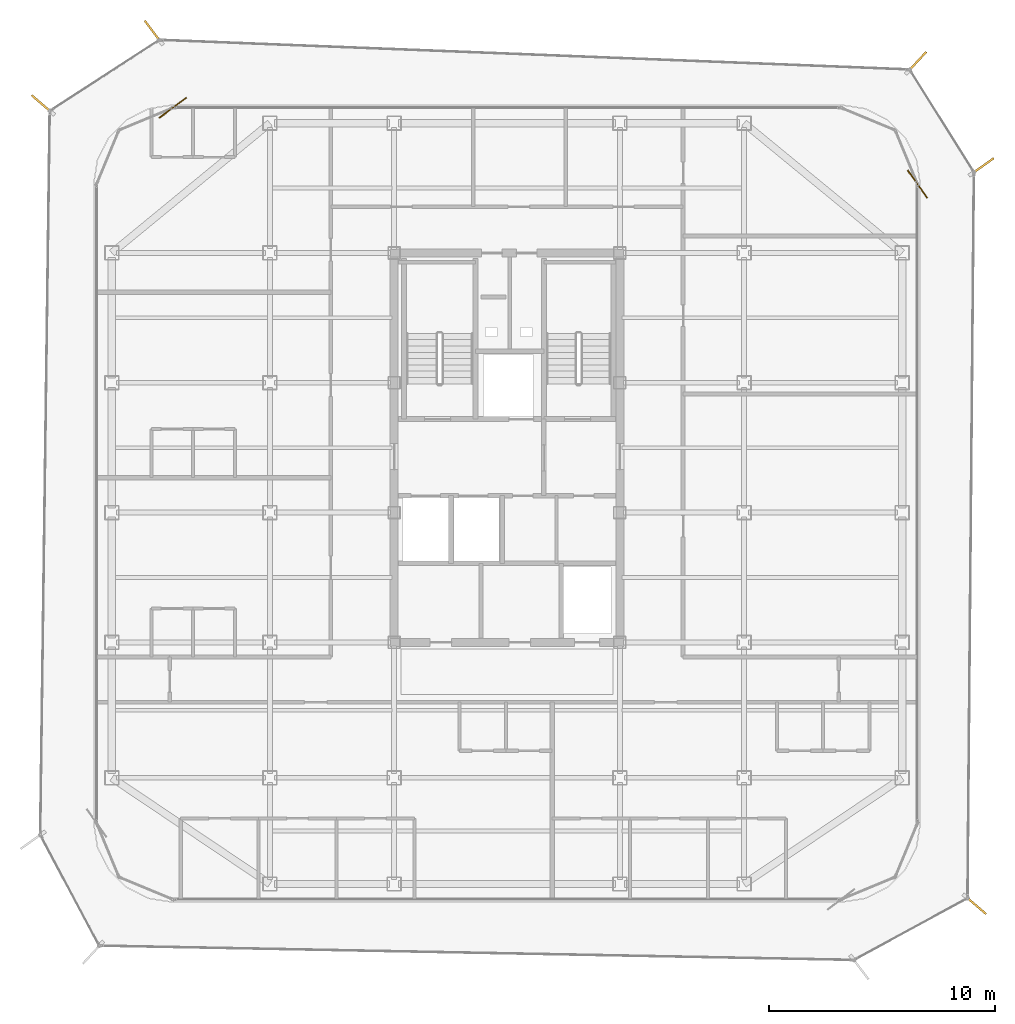
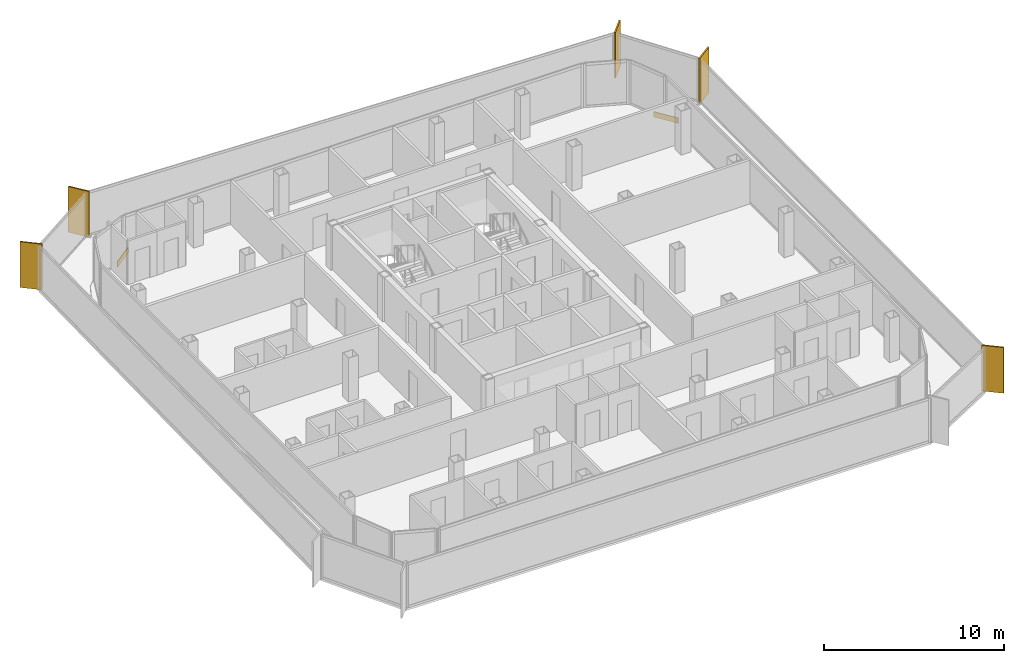
# One storey, part 15 of 15: 5 shading devices, 2 coverings.
"""IFC4 building model written with IfcOpenShell, lengths in metres."""

from ifc_helpers import new_model, si_unit, direction, frame, origin, origin_2d, place, context, subcontext, project, spatial, rectangle, extrude, source, transform, mapped, material, layer, layer_set, type_object, element, save


model = new_model("IFC4")

# Units and contexts
model_context = context("Model", 3, precision=1e-05, world=origin(), true_north=direction((0.0, 1.0)))
body_context = subcontext(model_context, "Body", "Model", "MODEL_VIEW")
ifc_project = project(units=[si_unit("LENGTHUNIT", "METRE"), si_unit("AREAUNIT", "SQUARE_METRE"), si_unit("VOLUMEUNIT", "CUBIC_METRE"), si_unit("PLANEANGLEUNIT", "RADIAN"), si_unit("MASSUNIT", "GRAM", prefix="KILO")], contexts=[model_context])

# Site, building, storey
site_placement = place(None, origin())
site = spatial("IfcSite", under=ifc_project, at=site_placement, CompositionType="ELEMENT")
building_placement = place(site_placement, origin())
building = spatial("IfcBuilding", under=site, at=building_placement, Name="Kolveth Station Tower", CompositionType="ELEMENT")
storey_placement = place(building_placement, frame((0.0, 0.0, 261.699951171875)))
storey = spatial("IfcBuildingStorey", under=building, at=storey_placement, Name="L75", CompositionType="ELEMENT", Elevation=261.699951171875)

# Shading devices
ifc_material_1 = material(Name="Black anodized aluminium 6063-T6", Category="aluminium")
shading_device_type = type_object("IfcShadingDeviceType", Name="FIN_VF1", PredefinedType="USERDEFINED", material=ifc_material_1)
shared_shape_1 = source(origin(), body_context, "Body", "SweptSolid", [
    extrude(rectangle(XDim=1.25, YDim=0.090087890625, at=origin_2d()), origin(), (0.0, 0.0, 1.0), 3.10009765625),
])
for number, where, z_axis, x_axis, name in (
    (1, (44.2451171875, -0.123046875, 0.0), (0.0, 0.0, 1.0), (0.759384877298, -0.650641689512, 0.0), "L75 Dark-Aluminium Solar Fin 2"),
    (2, (44.552001953125, 32.5859375, 0.0), (0.0, 0.0, 1.0), (0.815532011604, 0.578711964667, 0.0), "L75 Dark-Aluminium Solar Fin 3"),
    (3, (41.64794921875, 37.198974609375, 0.0), (0.0, 0.0, 1.0), (0.6803372171, 0.732899222969, 0.0), "L75 Dark-Aluminium Solar Fin 4"),
    (4, (7.827880859375, 38.5400390625, 0.0), (0.0, 0.0, 1.0), (-0.600141046146, 0.79989419596, 0.0), "L75 Dark-Aluminium Solar Fin 5"),
    (5, (2.912109375, 35.333984375, 0.0), (0.0, 0.0, 1.0), (-0.758589401976, 0.651568967347, 0.0), "L75 Dark-Aluminium Solar Fin 6"),
):
    element("IfcShadingDevice", number, at=place(storey_placement, frame(where, z_axis=z_axis, x_axis=x_axis)), inside=storey, type_object=shading_device_type, Name=name, ObjectType="FIN", PredefinedType="USERDEFINED", context=body_context, shape_type="MappedRepresentation", body=[
        mapped(shared_shape_1, transform((0.0, 0.0, 0.0), x_axis=(1.0, 0.0, 0.0), y_axis=(0.0, 1.0, 0.0), z_axis=(0.0, 0.0, 1.0), scale=1.0)),
    ])

# Coverings
ifc_material_2 = material(Name="Charcoal anodized aluminium spandrel cladding", Category="aluminium")
ifc_layer = layer(ifc_material_2, 0.044921875)
ifc_layer_set = layer_set([ifc_layer], Name="Charcoal anodized aluminium spandrel cladding")
covering_type = type_object("IfcCoveringType", Name="Clad_CD1", PredefinedType="CLADDING", material=ifc_layer_set)
shared_shape_2 = source(origin(), body_context, "Body", "SweptSolid", [
    extrude(rectangle(XDim=1.5, YDim=0.044921875, at=origin_2d()), origin(), (0.0, 0.0, 1.0), 0.360107421875),
])
for number, where, z_axis, x_axis, name in (
    (6, (41.679931640625, 31.800048828125, 0.0), (0.0, 0.0, 1.0), (-0.578711964667, 0.815532011604, 0.0), "L75 Spandrel Edge Cladding 3"),
    (7, (8.699951171875, 35.179931640625, 0.0), (0.0, 0.0, 1.0), (-0.79989419596, -0.600141046146, 0.0), "L75 Spandrel Edge Cladding 5"),
):
    element("IfcCovering", number, at=place(storey_placement, frame(where, z_axis=z_axis, x_axis=x_axis)), inside=storey, type_object=covering_type, Name=name, PredefinedType="CLADDING", context=body_context, shape_type="MappedRepresentation", body=[
        mapped(shared_shape_2, transform((0.0, 0.0, 0.0), x_axis=(1.0, 0.0, 0.0), y_axis=(0.0, 1.0, 0.0), z_axis=(0.0, 0.0, 1.0), scale=1.0)),
    ])

save(model, "model.ifc")
